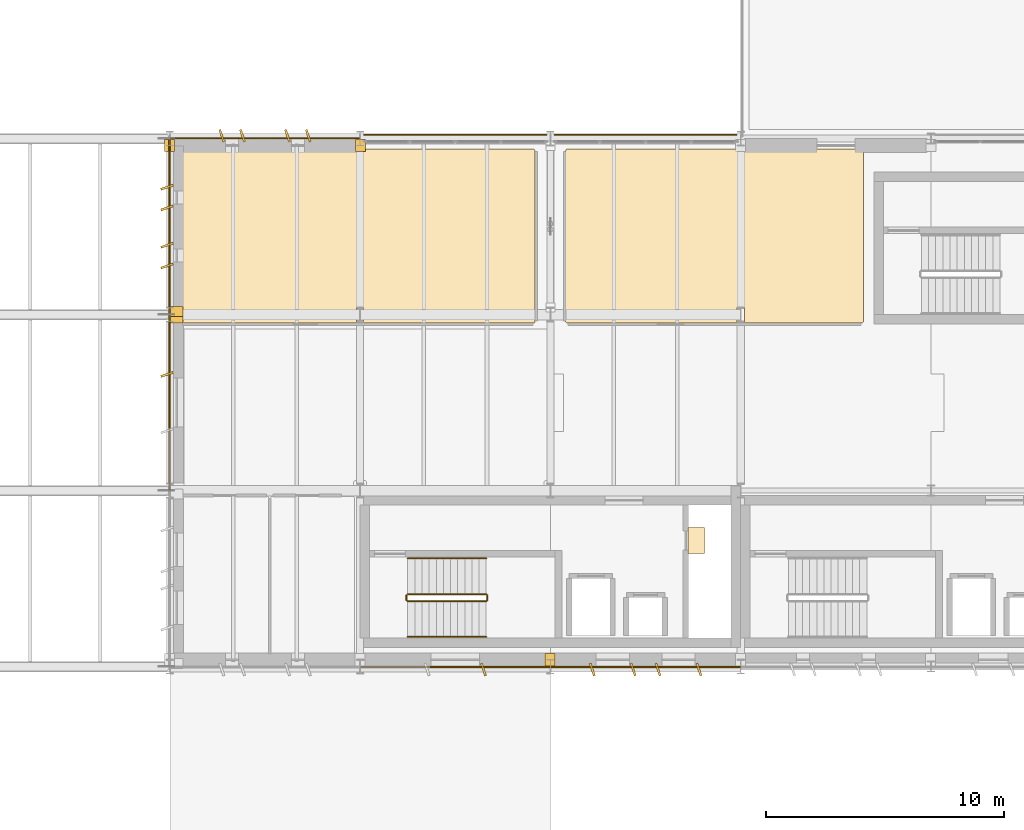
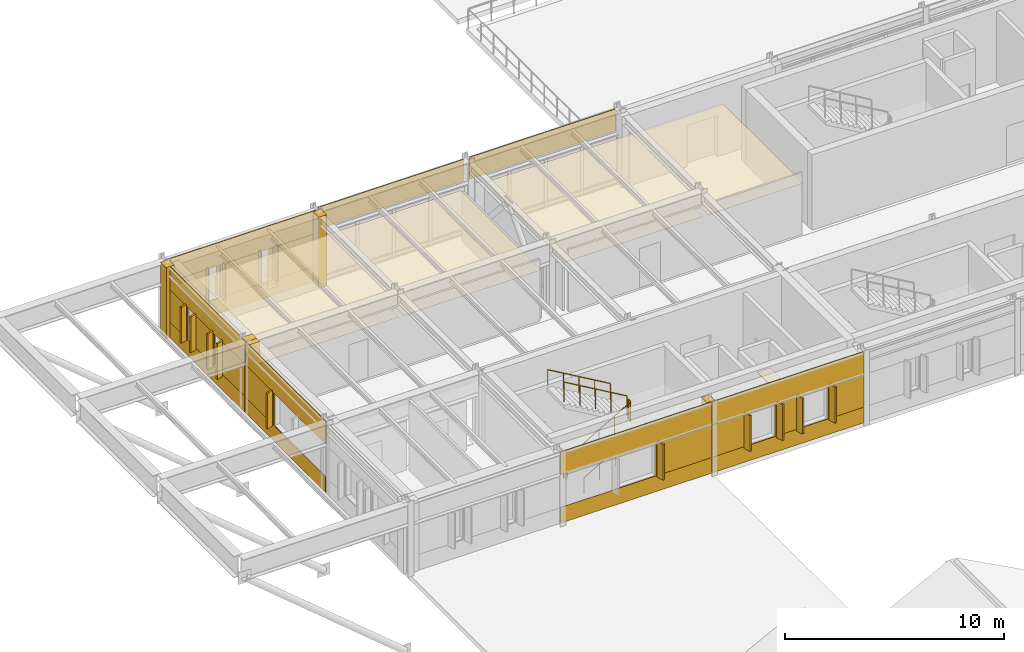
# One storey, part 50 of 63: 45 coverings, 6 railings.
"""IFC4 building model written with IfcOpenShell, lengths in metres."""

from ifc_helpers import new_model, si_unit, direction, frame, frame_2d, origin, origin_2d, place, context, subcontext, project, spatial, polyline, rectangle, circle, outline, extrude, material, layer, layer_set, type_object, element, save


model = new_model("IFC4")

# Units and contexts
model_context = context("Model", 3, precision=1e-05, world=origin(), true_north=direction((0.0, 1.0)))
body_context = subcontext(model_context, "Body", "Model", "MODEL_VIEW")
ifc_project = project(units=[si_unit("LENGTHUNIT", "METRE"), si_unit("AREAUNIT", "SQUARE_METRE"), si_unit("VOLUMEUNIT", "CUBIC_METRE"), si_unit("PLANEANGLEUNIT", "RADIAN"), si_unit("MASSUNIT", "GRAM", prefix="KILO")], contexts=[model_context])

# Site, building, storey
site_placement = place(None, origin())
site = spatial("IfcSite", under=ifc_project, at=site_placement, CompositionType="ELEMENT")
building_placement = place(site_placement, origin())
building = spatial("IfcBuilding", under=site, at=building_placement, Name="Valkorina Park Police Headquarters", CompositionType="ELEMENT")
storey_placement = place(building_placement, frame((0.0, 0.0, 9.89990234375)))
storey = spatial("IfcBuildingStorey", under=building, at=storey_placement, Name="L03", CompositionType="ELEMENT", Elevation=9.89990234375)

# Coverings
ifc_material_1 = material(Name="Acoustic mineral board")
ifc_layer_1 = layer(ifc_material_1, 0.02490234375)
ifc_layer_set_1 = layer_set([ifc_layer_1], Name="Acoustic mineral board")
covering_type_1 = type_object("IfcCoveringType", Name="COV-CEILING-ACOUST", PredefinedType="CEILING", material=ifc_layer_set_1)
covering_1_placement = place(storey_placement, frame((0.0, 0.0, 2.72998046875)))
element("IfcCovering", 1, at=covering_1_placement, inside=storey, type_object=covering_type_1, Name="District Patrol Investigation Suite West Acoustic Suspended Ceiling", PredefinedType="CEILING", context=body_context, shape_type="SweptSolid", body=[
    extrude(outline(polyline([(24.158447265625, 51.50439453125), (24.15966796875, 51.51220703125), (24.159912109375, 51.52001953125), (24.159912109375, 58.679931640625), (24.15966796875, 58.687744140625), (24.158447265625, 58.695556640625), (24.156494140625, 58.703125), (24.15380859375, 58.710693359375), (24.150634765625, 58.7177734375), (24.146484375, 58.724365234375), (24.141845703125, 58.730712890625), (24.13671875, 58.736572265625), (24.130859375, 58.74169921875), (24.12451171875, 58.74658203125), (24.11767578125, 58.75048828125), (24.110595703125, 58.75390625), (24.103271484375, 58.756591796875), (24.095703125, 58.758544921875), (24.087890625, 58.759521484375), (24.080078125, 58.760009765625), (9.320068359375, 58.760009765625), (9.312255859375, 58.759521484375), (9.304443359375, 58.758544921875), (9.296875, 58.756591796875), (9.289306640625, 58.75390625), (9.2822265625, 58.75048828125), (9.275634765625, 58.74658203125), (9.269287109375, 58.74169921875), (9.263427734375, 58.736572265625), (9.25830078125, 58.730712890625), (9.25341796875, 58.724365234375), (9.24951171875, 58.7177734375), (9.24609375, 58.710693359375), (9.243408203125, 58.703125), (9.241455078125, 58.695556640625), (9.240478515625, 58.687744140625), (9.239990234375, 58.679931640625), (9.239990234375, 51.52001953125), (9.240478515625, 51.51220703125), (9.241455078125, 51.50439453125), (9.243408203125, 51.496826171875), (9.24609375, 51.489501953125), (9.24951171875, 51.482421875), (9.25341796875, 51.4755859375), (9.25830078125, 51.46923828125), (9.263427734375, 51.46337890625), (9.269287109375, 51.458251953125), (9.275634765625, 51.45361328125), (9.2822265625, 51.449462890625), (9.289306640625, 51.446044921875), (9.296875, 51.443359375), (9.304443359375, 51.44140625), (9.312255859375, 51.4404296875), (9.320068359375, 51.43994140625), (16.610107421875, 51.43994140625), (16.617919921875, 51.4404296875), (16.62548828125, 51.44140625), (16.63330078125, 51.443359375), (16.640625, 51.446044921875), (16.647705078125, 51.449462890625), (16.654296875, 51.45361328125), (16.660888671875, 51.458251953125), (16.66650390625, 51.46337890625), (16.671875, 51.46923828125), (16.676513671875, 51.4755859375), (16.6806640625, 51.482421875), (16.683837890625, 51.489501953125), (16.6865234375, 51.496826171875), (16.6875, 51.5), (16.64990234375, 51.5), (16.64990234375, 52.10009765625), (16.949951171875, 52.10009765625), (16.949951171875, 51.5), (16.91259765625, 51.5), (16.913330078125, 51.496826171875), (16.916015625, 51.489501953125), (16.91943359375, 51.482421875), (16.923583984375, 51.4755859375), (16.92822265625, 51.46923828125), (16.933349609375, 51.46337890625), (16.939208984375, 51.458251953125), (16.945556640625, 51.45361328125), (16.952392578125, 51.449462890625), (16.95947265625, 51.446044921875), (16.966796875, 51.443359375), (16.974365234375, 51.44140625), (16.982177734375, 51.4404296875), (16.989990234375, 51.43994140625), (24.080078125, 51.43994140625), (24.087890625, 51.4404296875), (24.095703125, 51.44140625), (24.103271484375, 51.443359375), (24.110595703125, 51.446044921875), (24.11767578125, 51.449462890625), (24.12451171875, 51.45361328125), (24.130859375, 51.458251953125), (24.13671875, 51.46337890625), (24.141845703125, 51.46923828125), (24.146484375, 51.4755859375), (24.150634765625, 51.482421875), (24.15380859375, 51.489501953125), (24.156494140625, 51.496826171875), (24.158447265625, 51.50439453125)])), origin(), (0.0, 0.0, 1.0), 0.025146484375),
])
covering_2_placement = place(storey_placement, frame((0.0, 0.0, 2.72998046875)))
element("IfcCovering", 2, at=covering_2_placement, inside=storey, type_object=covering_type_1, Name="Juvenile and Family Protection Unit Acoustic Suspended Ceiling", PredefinedType="CEILING", context=body_context, shape_type="SweptSolid", body=[
    extrude(outline(polyline([(37.95849609375, 51.50439453125), (37.959716796875, 51.51220703125), (37.9599609375, 51.52001953125), (37.9599609375, 58.679931640625), (37.959716796875, 58.687744140625), (37.95849609375, 58.695556640625), (37.95654296875, 58.703125), (37.953857421875, 58.710693359375), (37.95068359375, 58.7177734375), (37.946533203125, 58.724365234375), (37.94189453125, 58.730712890625), (37.9365234375, 58.736572265625), (37.930908203125, 58.74169921875), (37.92431640625, 58.74658203125), (37.917724609375, 58.75048828125), (37.91064453125, 58.75390625), (37.9033203125, 58.756591796875), (37.8955078125, 58.758544921875), (37.8876953125, 58.759521484375), (37.8798828125, 58.760009765625), (25.52001953125, 58.760009765625), (25.51220703125, 58.759521484375), (25.50439453125, 58.758544921875), (25.496826171875, 58.756591796875), (25.489501953125, 58.75390625), (25.482421875, 58.75048828125), (25.4755859375, 58.74658203125), (25.46923828125, 58.74169921875), (25.46337890625, 58.736572265625), (25.458251953125, 58.730712890625), (25.45361328125, 58.724365234375), (25.449462890625, 58.7177734375), (25.446044921875, 58.710693359375), (25.443359375, 58.703125), (25.44140625, 58.695556640625), (25.4404296875, 58.687744140625), (25.43994140625, 58.679931640625), (25.43994140625, 51.52001953125), (25.4404296875, 51.51220703125), (25.44140625, 51.50439453125), (25.443359375, 51.496826171875), (25.446044921875, 51.489501953125), (25.449462890625, 51.482421875), (25.45361328125, 51.4755859375), (25.458251953125, 51.46923828125), (25.46337890625, 51.46337890625), (25.46923828125, 51.458251953125), (25.4755859375, 51.45361328125), (25.482421875, 51.449462890625), (25.489501953125, 51.446044921875), (25.496826171875, 51.443359375), (25.50439453125, 51.44140625), (25.51220703125, 51.4404296875), (25.52001953125, 51.43994140625), (32.610107421875, 51.43994140625), (32.617919921875, 51.4404296875), (32.62548828125, 51.44140625), (32.63330078125, 51.443359375), (32.640625, 51.446044921875), (32.647705078125, 51.449462890625), (32.654296875, 51.45361328125), (32.660888671875, 51.458251953125), (32.66650390625, 51.46337890625), (32.671875, 51.46923828125), (32.676513671875, 51.4755859375), (32.6806640625, 51.482421875), (32.683837890625, 51.489501953125), (32.6865234375, 51.496826171875), (32.6875, 51.5), (32.64990234375, 51.5), (32.64990234375, 52.10009765625), (32.949951171875, 52.10009765625), (32.949951171875, 51.5), (32.91259765625, 51.5), (32.913330078125, 51.496826171875), (32.916015625, 51.489501953125), (32.91943359375, 51.482421875), (32.923583984375, 51.4755859375), (32.92822265625, 51.46923828125), (32.933349609375, 51.46337890625), (32.939208984375, 51.458251953125), (32.945556640625, 51.45361328125), (32.952392578125, 51.449462890625), (32.95947265625, 51.446044921875), (32.966796875, 51.443359375), (32.974365234375, 51.44140625), (32.982177734375, 51.4404296875), (32.989990234375, 51.43994140625), (37.8798828125, 51.43994140625), (37.8876953125, 51.4404296875), (37.8955078125, 51.44140625), (37.9033203125, 51.443359375), (37.91064453125, 51.446044921875), (37.917724609375, 51.449462890625), (37.92431640625, 51.45361328125), (37.930908203125, 51.458251953125), (37.9365234375, 51.46337890625), (37.94189453125, 51.46923828125), (37.946533203125, 51.4755859375), (37.95068359375, 51.482421875), (37.953857421875, 51.489501953125), (37.95654296875, 51.496826171875), (37.95849609375, 51.50439453125)])), origin(), (0.0, 0.0, 1.0), 0.025146484375),
])
ifc_material_2 = material(Name="Precast concrete C40/50", Category="concrete")
ifc_layer_2 = layer(ifc_material_2, 0.044921875)
ifc_layer_set_2 = layer_set([ifc_layer_2], Name="Precast concrete C40/50")
covering_type_2 = type_object("IfcCoveringType", Name="COV-CLAD-DOLOMITE", PredefinedType="CLADDING", material=ifc_layer_set_2)
for number, where, z_axis, x_axis, name in (
    (3, (8.7900390625, 58.909912109375, 0.0), (0.0, 0.0, 1.0), (1.0, 0.0, 0.0), "L03 Exterior Joint Closure Pilaster A 1730"),
    (4, (16.81005859375, 58.909912109375, 0.0), (0.0, 0.0, 1.0), (1.0, 0.0, 0.0), "L03 Exterior Joint Closure Pilaster B 1731"),
):
    element("IfcCovering", number, at=place(storey_placement, frame(where, z_axis=z_axis, x_axis=x_axis)), inside=storey, type_object=covering_type_2, Name=name, PredefinedType="CLADDING", context=body_context, shape_type="SweptSolid", body=[
        extrude(rectangle(XDim=0.419921875, YDim=0.52197265625, at=origin_2d()), origin(), (0.0, 0.0, 1.0), 3.955078125),
    ])
for number, where, z_axis, x_axis, name in (
    (5, (10.982666015625, 59.320068359375, 0.7802734375), (0.0, 0.0, 1.0), (-0.317304656405, 0.948323655206, 0.0), "Slanted 18.5-deg Precast Window Slot Fin 1732"),
    (6, (11.8525390625, 59.320068359375, 0.7802734375), (0.0, 0.0, 1.0), (-0.317304656405, 0.948323655206, 0.0), "Slanted 18.5-deg Precast Window Slot Fin 1733"),
    (7, (13.747314453125, 59.320068359375, 0.7802734375), (0.0, 0.0, 1.0), (-0.317304656405, 0.948323655206, 0.0), "Slanted 18.5-deg Precast Window Slot Fin 1734"),
    (8, (14.617431640625, 59.320068359375, 0.7802734375), (0.0, 0.0, 1.0), (-0.317304656405, 0.948323655206, 0.0), "Slanted 18.5-deg Precast Window Slot Fin 1735"),
):
    element("IfcCovering", number, at=place(storey_placement, frame(where, z_axis=z_axis, x_axis=x_axis)), inside=storey, type_object=covering_type_2, Name=name, PredefinedType="CLADDING", context=body_context, shape_type="SweptSolid", body=[
        extrude(rectangle(XDim=0.5400390625, YDim=0.090087890625, at=origin_2d()), origin(), (0.0, 0.0, 1.0), 1.989990234375),
    ])
covering_3_placement = place(storey_placement, frame((8.820068359375, 59.215087890625, 0.0), z_axis=(0.0, 0.0, 1.0), x_axis=(1.0, 0.0, 0.0)))
element("IfcCovering", 9, at=covering_3_placement, inside=storey, type_object=covering_type_2, Name="L03 Calm Concrete Base Sill Spandrel 1736", PredefinedType="CLADDING", context=body_context, shape_type="SweptSolid", body=[
    extrude(rectangle(XDim=7.9599609375, YDim=0.044921875, at=frame_2d((3.97998046875, 0.0))), origin(), (0.0, 0.0, 1.0), 0.8701171875),
])
covering_4_placement = place(storey_placement, frame((8.820068359375, 59.215087890625, 2.68017578125), z_axis=(0.0, 0.0, 1.0), x_axis=(1.0, 0.0, 0.0)))
element("IfcCovering", 10, at=covering_4_placement, inside=storey, type_object=covering_type_2, Name="L03 Calm Concrete Base Lintel Spandrel 1737", PredefinedType="CLADDING", context=body_context, shape_type="SweptSolid", body=[
    extrude(rectangle(XDim=7.9599609375, YDim=0.044921875, at=frame_2d((3.97998046875, 0.0))), origin(), (0.0, 0.0, 1.0), 1.27490234375),
])
covering_5_placement = place(storey_placement, frame((8.820068359375, 59.215087890625, 0.8701171875), z_axis=(0.0, 0.0, 1.0), x_axis=(1.0, 0.0, 0.0)))
element("IfcCovering", 11, at=covering_5_placement, inside=storey, type_object=covering_type_2, Name="L03 Calm Concrete Base Slot Pier 1738", PredefinedType="CLADDING", context=body_context, shape_type="SweptSolid", body=[
    extrude(rectangle(XDim=2.2724609375, YDim=0.044921875, at=frame_2d((1.13623046875, 0.0))), origin(), (0.0, 0.0, 1.0), 1.81005859375),
])
covering_6_placement = place(storey_placement, frame((11.74267578125, 59.215087890625, 0.8701171875), z_axis=(0.0, 0.0, 1.0), x_axis=(1.0, 0.0, 0.0)))
element("IfcCovering", 12, at=covering_6_placement, inside=storey, type_object=covering_type_2, Name="L03 Calm Concrete Base Slot Pier 1739", PredefinedType="CLADDING", context=body_context, shape_type="SweptSolid", body=[
    extrude(rectangle(XDim=2.11474609375, YDim=0.044921875, at=frame_2d((1.057373046875, 0.0))), origin(), (0.0, 0.0, 1.0), 1.81005859375),
])
covering_7_placement = place(storey_placement, frame((14.50732421875, 59.215087890625, 0.8701171875), z_axis=(0.0, 0.0, 1.0), x_axis=(1.0, 0.0, 0.0)))
element("IfcCovering", 13, at=covering_7_placement, inside=storey, type_object=covering_type_2, Name="L03 Calm Concrete Base Slot Pier 1740", PredefinedType="CLADDING", context=body_context, shape_type="SweptSolid", body=[
    extrude(rectangle(XDim=2.272705078125, YDim=0.044921875, at=frame_2d((1.13623046875, 0.0))), origin(), (0.0, 0.0, 1.0), 1.81005859375),
])
for number, where, z_axis, x_axis, name in (
    (14, (16.9599609375, 59.360107421875, 2.7451171875), (0.0, 0.0, 1.0), (1.0, 0.0, 0.0), "L03 Spandrel Beam Insulated Fascia 1741"),
    (15, (24.9599609375, 59.360107421875, 2.7451171875), (0.0, 0.0, 1.0), (1.0, 0.0, 0.0), "L03 Spandrel Beam Insulated Fascia 1742"),
):
    element("IfcCovering", number, at=place(storey_placement, frame(where, z_axis=z_axis, x_axis=x_axis)), inside=storey, type_object=covering_type_2, Name=name, PredefinedType="CLADDING", context=body_context, shape_type="SweptSolid", body=[
        extrude(rectangle(XDim=7.679931640625, YDim=0.044921875, at=frame_2d((3.83984375, 0.0))), origin(), (0.0, 0.0, 1.0), 1.2099609375),
    ])
covering_8_placement = place(storey_placement, frame((24.7900390625, 37.2900390625, 0.0), z_axis=(0.0, 0.0, 1.0), x_axis=(1.0, 0.0, 0.0)))
element("IfcCovering", 16, at=covering_8_placement, inside=storey, type_object=covering_type_2, Name="L03 Exterior Joint Closure Pilaster B 2162", PredefinedType="CLADDING", context=body_context, shape_type="SweptSolid", body=[
    extrude(rectangle(XDim=0.419921875, YDim=0.52197265625, at=origin_2d()), origin(), (0.0, 0.0, 1.0), 3.955078125),
])
for number, where, z_axis, x_axis, name in (
    (17, (31.04248046875, 36.8798828125, 0.7802734375), (0.0, 0.0, 1.0), (0.317304656405, -0.948323655206, 0.0), "Slanted 18.5-deg Precast Window Slot Fin 2163"),
    (18, (29.322509765625, 36.8798828125, 0.7802734375), (0.0, 0.0, 1.0), (0.317304656405, -0.948323655206, 0.0), "Slanted 18.5-deg Precast Window Slot Fin 2164"),
    (19, (28.277587890625, 36.8798828125, 0.7802734375), (0.0, 0.0, 1.0), (0.317304656405, -0.948323655206, 0.0), "Slanted 18.5-deg Precast Window Slot Fin 2165"),
    (20, (26.5576171875, 36.8798828125, 0.7802734375), (0.0, 0.0, 1.0), (0.317304656405, -0.948323655206, 0.0), "Slanted 18.5-deg Precast Window Slot Fin 2166"),
):
    element("IfcCovering", number, at=place(storey_placement, frame(where, z_axis=z_axis, x_axis=x_axis)), inside=storey, type_object=covering_type_2, Name=name, PredefinedType="CLADDING", context=body_context, shape_type="SweptSolid", body=[
        extrude(rectangle(XDim=0.5400390625, YDim=0.090087890625, at=origin_2d()), origin(), (0.0, 0.0, 1.0), 1.989990234375),
    ])
covering_9_placement = place(storey_placement, frame((32.780029296875, 36.985107421875, 0.0), z_axis=(0.0, 0.0, 1.0), x_axis=(-1.0, 0.0, 0.0)))
element("IfcCovering", 21, at=covering_9_placement, inside=storey, type_object=covering_type_2, Name="L03 Calm Concrete Base Sill Spandrel 2167", PredefinedType="CLADDING", context=body_context, shape_type="SweptSolid", body=[
    extrude(rectangle(XDim=7.9599609375, YDim=0.044921875, at=frame_2d((3.97998046875, 0.0))), origin(), (0.0, 0.0, 1.0), 0.8701171875),
])
covering_10_placement = place(storey_placement, frame((32.780029296875, 36.985107421875, 2.68017578125), z_axis=(0.0, 0.0, 1.0), x_axis=(-1.0, 0.0, 0.0)))
element("IfcCovering", 22, at=covering_10_placement, inside=storey, type_object=covering_type_2, Name="L03 Calm Concrete Base Lintel Spandrel 2168", PredefinedType="CLADDING", context=body_context, shape_type="SweptSolid", body=[
    extrude(rectangle(XDim=7.9599609375, YDim=0.044921875, at=frame_2d((3.97998046875, 0.0))), origin(), (0.0, 0.0, 1.0), 1.27490234375),
])
covering_11_placement = place(storey_placement, frame((32.780029296875, 36.985107421875, 0.8701171875), z_axis=(0.0, 0.0, 1.0), x_axis=(-1.0, 0.0, 0.0)))
element("IfcCovering", 23, at=covering_11_placement, inside=storey, type_object=covering_type_2, Name="L03 Calm Concrete Base Slot Pier 2169", PredefinedType="CLADDING", context=body_context, shape_type="SweptSolid", body=[
    extrude(rectangle(XDim=1.84765625, YDim=0.044921875, at=frame_2d((0.923828125, 0.0))), origin(), (0.0, 0.0, 1.0), 1.81005859375),
])
covering_12_placement = place(storey_placement, frame((29.432373046875, 36.985107421875, 0.8701171875), z_axis=(0.0, 0.0, 1.0), x_axis=(-1.0, 0.0, 0.0)))
element("IfcCovering", 24, at=covering_12_placement, inside=storey, type_object=covering_type_2, Name="L03 Calm Concrete Base Slot Pier 2170", PredefinedType="CLADDING", context=body_context, shape_type="SweptSolid", body=[
    extrude(rectangle(XDim=1.264892578125, YDim=0.044921875, at=frame_2d((0.63232421875, 0.0))), origin(), (0.0, 0.0, 1.0), 1.81005859375),
])
covering_13_placement = place(storey_placement, frame((26.66748046875, 36.985107421875, 0.8701171875), z_axis=(0.0, 0.0, 1.0), x_axis=(-1.0, 0.0, 0.0)))
element("IfcCovering", 25, at=covering_13_placement, inside=storey, type_object=covering_type_2, Name="L03 Calm Concrete Base Slot Pier 2171", PredefinedType="CLADDING", context=body_context, shape_type="SweptSolid", body=[
    extrude(rectangle(XDim=1.847412109375, YDim=0.044921875, at=frame_2d((0.923828125, 0.0))), origin(), (0.0, 0.0, 1.0), 1.81005859375),
])
covering_14_placement = place(storey_placement, frame((21.985107421875, 36.8798828125, 0.7802734375), z_axis=(0.0, 0.0, 1.0), x_axis=(0.317304656405, -0.948323655206, 0.0)))
element("IfcCovering", 26, at=covering_14_placement, inside=storey, type_object=covering_type_2, Name="Slanted 18.5-deg Precast Window Slot Fin 2173", PredefinedType="CLADDING", context=body_context, shape_type="SweptSolid", body=[
    extrude(rectangle(XDim=0.5400390625, YDim=0.090087890625, at=origin_2d()), origin(), (0.0, 0.0, 1.0), 1.989990234375),
])
covering_15_placement = place(storey_placement, frame((24.780029296875, 36.985107421875, 0.0), z_axis=(0.0, 0.0, 1.0), x_axis=(-1.0, 0.0, 0.0)))
element("IfcCovering", 27, at=covering_15_placement, inside=storey, type_object=covering_type_2, Name="L03 Calm Concrete Base Sill Spandrel 2175", PredefinedType="CLADDING", context=body_context, shape_type="SweptSolid", body=[
    extrude(rectangle(XDim=7.9599609375, YDim=0.044921875, at=frame_2d((3.97998046875, 0.0))), origin(), (0.0, 0.0, 1.0), 0.8701171875),
])
covering_16_placement = place(storey_placement, frame((24.780029296875, 36.985107421875, 2.68017578125), z_axis=(0.0, 0.0, 1.0), x_axis=(-1.0, 0.0, 0.0)))
element("IfcCovering", 28, at=covering_16_placement, inside=storey, type_object=covering_type_2, Name="L03 Calm Concrete Base Lintel Spandrel 2176", PredefinedType="CLADDING", context=body_context, shape_type="SweptSolid", body=[
    extrude(rectangle(XDim=7.9599609375, YDim=0.044921875, at=frame_2d((3.97998046875, 0.0))), origin(), (0.0, 0.0, 1.0), 1.27490234375),
])
covering_17_placement = place(storey_placement, frame((24.780029296875, 36.985107421875, 0.8701171875), z_axis=(0.0, 0.0, 1.0), x_axis=(-1.0, 0.0, 0.0)))
element("IfcCovering", 29, at=covering_17_placement, inside=storey, type_object=covering_type_2, Name="L03 Calm Concrete Base Slot Pier 2177", PredefinedType="CLADDING", context=body_context, shape_type="SweptSolid", body=[
    extrude(rectangle(XDim=2.905029296875, YDim=0.044921875, at=frame_2d((1.45263671875, 0.0))), origin(), (0.0, 0.0, 1.0), 1.81005859375),
])
covering_18_placement = place(storey_placement, frame((9.090087890625, 51.659912109375, 0.0), z_axis=(0.0, 0.0, 1.0), x_axis=(0.0, 1.0, 0.0)))
element("IfcCovering", 30, at=covering_18_placement, inside=storey, type_object=covering_type_2, Name="L03 Exterior Joint Closure Pilaster B 2200", PredefinedType="CLADDING", context=body_context, shape_type="SweptSolid", body=[
    extrude(rectangle(XDim=0.419921875, YDim=0.52197265625, at=origin_2d()), origin(), (0.0, 0.0, 1.0), 3.955078125),
])
covering_19_placement = place(storey_placement, frame((8.679931640625, 49.284912109375, 0.7802734375), z_axis=(0.0, 0.0, 1.0), x_axis=(-0.948323655206, -0.317304656405, 0.0)))
element("IfcCovering", 31, at=covering_19_placement, inside=storey, type_object=covering_type_2, Name="Slanted 18.5-deg Precast Window Slot Fin 2202", PredefinedType="CLADDING", context=body_context, shape_type="SweptSolid", body=[
    extrude(rectangle(XDim=0.5400390625, YDim=0.090087890625, at=origin_2d()), origin(), (0.0, 0.0, 1.0), 1.989990234375),
])
covering_20_placement = place(storey_placement, frame((8.784912109375, 44.419921875, 0.0), z_axis=(0.0, 0.0, 1.0), x_axis=(0.0, 1.0, 0.0)))
element("IfcCovering", 32, at=covering_20_placement, inside=storey, type_object=covering_type_2, Name="L03 Calm Concrete Base Sill Spandrel 2203", PredefinedType="CLADDING", context=body_context, shape_type="SweptSolid", body=[
    extrude(rectangle(XDim=7.360107421875, YDim=0.044921875, at=frame_2d((3.68017578125, 0.0))), origin(), (0.0, 0.0, 1.0), 0.8701171875),
])
covering_21_placement = place(storey_placement, frame((8.784912109375, 44.419921875, 2.68017578125), z_axis=(0.0, 0.0, 1.0), x_axis=(0.0, 1.0, 0.0)))
element("IfcCovering", 33, at=covering_21_placement, inside=storey, type_object=covering_type_2, Name="L03 Calm Concrete Base Lintel Spandrel 2204", PredefinedType="CLADDING", context=body_context, shape_type="SweptSolid", body=[
    extrude(rectangle(XDim=7.360107421875, YDim=0.044921875, at=frame_2d((3.68017578125, 0.0))), origin(), (0.0, 0.0, 1.0), 1.27490234375),
])
covering_22_placement = place(storey_placement, frame((8.784912109375, 49.175048828125, 0.8701171875), z_axis=(0.0, 0.0, 1.0), x_axis=(0.0, 1.0, 0.0)))
element("IfcCovering", 34, at=covering_22_placement, inside=storey, type_object=covering_type_2, Name="L03 Calm Concrete Base Slot Pier 2206", PredefinedType="CLADDING", context=body_context, shape_type="SweptSolid", body=[
    extrude(rectangle(XDim=2.60498046875, YDim=0.044921875, at=frame_2d((1.302490234375, 0.0))), origin(), (0.0, 0.0, 1.0), 1.81005859375),
])
covering_23_placement = place(storey_placement, frame((9.090087890625, 51.93994140625, 0.0), z_axis=(0.0, 0.0, 1.0), x_axis=(0.0, 1.0, 0.0)))
element("IfcCovering", 35, at=covering_23_placement, inside=storey, type_object=covering_type_2, Name="L03 Exterior Joint Closure Pilaster A 2207", PredefinedType="CLADDING", context=body_context, shape_type="SweptSolid", body=[
    extrude(rectangle(XDim=0.419921875, YDim=0.52197265625, at=origin_2d()), origin(), (0.0, 0.0, 1.0), 3.955078125),
])
for number, where, z_axis, x_axis, name in (
    (36, (8.679931640625, 53.844482421875, 0.7802734375), (0.0, 0.0, 1.0), (-0.948323655206, -0.317304656405, 0.0), "Slanted 18.5-deg Precast Window Slot Fin 2208"),
    (37, (8.679931640625, 54.714599609375, 0.7802734375), (0.0, 0.0, 1.0), (-0.948323655206, -0.317304656405, 0.0), "Slanted 18.5-deg Precast Window Slot Fin 2209"),
    (38, (8.679931640625, 56.285400390625, 0.7802734375), (0.0, 0.0, 1.0), (-0.948323655206, -0.317304656405, 0.0), "Slanted 18.5-deg Precast Window Slot Fin 2210"),
    (39, (8.679931640625, 57.155517578125, 0.7802734375), (0.0, 0.0, 1.0), (-0.948323655206, -0.317304656405, 0.0), "Slanted 18.5-deg Precast Window Slot Fin 2211"),
):
    element("IfcCovering", number, at=place(storey_placement, frame(where, z_axis=z_axis, x_axis=x_axis)), inside=storey, type_object=covering_type_2, Name=name, PredefinedType="CLADDING", context=body_context, shape_type="SweptSolid", body=[
        extrude(rectangle(XDim=0.5400390625, YDim=0.090087890625, at=origin_2d()), origin(), (0.0, 0.0, 1.0), 1.989990234375),
    ])
covering_24_placement = place(storey_placement, frame((8.784912109375, 51.820068359375, 0.0), z_axis=(0.0, 0.0, 1.0), x_axis=(0.0, 1.0, 0.0)))
element("IfcCovering", 40, at=covering_24_placement, inside=storey, type_object=covering_type_2, Name="L03 Calm Concrete Base Sill Spandrel 2212", PredefinedType="CLADDING", context=body_context, shape_type="SweptSolid", body=[
    extrude(rectangle(XDim=7.35986328125, YDim=0.044921875, at=frame_2d((3.679931640625, 0.0))), origin(), (0.0, 0.0, 1.0), 0.8701171875),
])
covering_25_placement = place(storey_placement, frame((8.784912109375, 51.820068359375, 2.68017578125), z_axis=(0.0, 0.0, 1.0), x_axis=(0.0, 1.0, 0.0)))
element("IfcCovering", 41, at=covering_25_placement, inside=storey, type_object=covering_type_2, Name="L03 Calm Concrete Base Lintel Spandrel 2213", PredefinedType="CLADDING", context=body_context, shape_type="SweptSolid", body=[
    extrude(rectangle(XDim=7.35986328125, YDim=0.044921875, at=frame_2d((3.679931640625, 0.0))), origin(), (0.0, 0.0, 1.0), 1.27490234375),
])
covering_26_placement = place(storey_placement, frame((8.784912109375, 51.820068359375, 0.8701171875), z_axis=(0.0, 0.0, 1.0), x_axis=(0.0, 1.0, 0.0)))
element("IfcCovering", 42, at=covering_26_placement, inside=storey, type_object=covering_type_2, Name="L03 Calm Concrete Base Slot Pier 2214", PredefinedType="CLADDING", context=body_context, shape_type="SweptSolid", body=[
    extrude(rectangle(XDim=2.134521484375, YDim=0.044921875, at=frame_2d((1.0673828125, 0.0))), origin(), (0.0, 0.0, 1.0), 1.81005859375),
])
covering_27_placement = place(storey_placement, frame((8.784912109375, 54.6044921875, 0.8701171875), z_axis=(0.0, 0.0, 1.0), x_axis=(0.0, 1.0, 0.0)))
element("IfcCovering", 43, at=covering_27_placement, inside=storey, type_object=covering_type_2, Name="L03 Calm Concrete Base Slot Pier 2215", PredefinedType="CLADDING", context=body_context, shape_type="SweptSolid", body=[
    extrude(rectangle(XDim=1.791015625, YDim=0.044921875, at=frame_2d((0.8955078125, 0.0))), origin(), (0.0, 0.0, 1.0), 1.81005859375),
])
covering_28_placement = place(storey_placement, frame((8.784912109375, 57.04541015625, 0.8701171875), z_axis=(0.0, 0.0, 1.0), x_axis=(0.0, 1.0, 0.0)))
element("IfcCovering", 44, at=covering_28_placement, inside=storey, type_object=covering_type_2, Name="L03 Calm Concrete Base Slot Pier 2216", PredefinedType="CLADDING", context=body_context, shape_type="SweptSolid", body=[
    extrude(rectangle(XDim=2.134521484375, YDim=0.044921875, at=frame_2d((1.0673828125, 0.0))), origin(), (0.0, 0.0, 1.0), 1.81005859375),
])
ifc_material_3 = material(Name="Resin terrazzo flooring")
ifc_layer_3 = layer(ifc_material_3, 0.030029296875)
ifc_layer_set_3 = layer_set([ifc_layer_3], Name="Resin terrazzo flooring")
covering_type_3 = type_object("IfcCoveringType", Name="COV-FLOOR-TERRAZZO", PredefinedType="FLOORING", material=ifc_layer_set_3)
covering_29_placement = place(storey_placement, origin())
element("IfcCovering", 45, at=covering_29_placement, inside=storey, type_object=covering_type_3, Name="Core C1 L03 Riser Inspection Threshold Grate", PredefinedType="FLOORING", context=body_context, shape_type="SweptSolid", body=[
    extrude(outline(polyline([(31.280029296875, 41.75), (31.280029296875, 42.85009765625), (30.580078125, 42.85009765625), (30.580078125, 41.75), (31.280029296875, 41.75)])), origin(), (0.0, 0.0, 1.0), 0.030029296875),
])

# Railings
ifc_material_4 = material(Name="Stainless steel EN 1.4404", Category="steel")
railing_type_1 = type_object("IfcRailingType", Name="RL-GUARD-INT-1100", PredefinedType="BALUSTRADE", material=ifc_material_4)
railing_1_placement = place(storey_placement, frame((18.800048828125, 39.75, 0.175048828125)))
element("IfcRailing", 46, at=railing_1_placement, inside=storey, type_object=railing_type_1, Name="L03 Core C1 Stair Guard 1", PredefinedType="BALUSTRADE", context=body_context, shape_type="SweptSolid", body=[
    extrude(circle(Radius=0.02392578125, at=origin_2d()), frame((0.0, 0.0, 1.09619140625), z_axis=(0.863776583165, 0.0, 0.503874998761), x_axis=(0.0, 1.0, 0.0)), (0.0, 0.0, 1.0), 3.820556640625),
    extrude(circle(Radius=0.02099609375, at=origin_2d()), origin(), (0.0, 0.0, 1.0), 1.072021484375),
    extrude(circle(Radius=0.02099609375, at=origin_2d()), frame((0.824951171875, 0.0, 0.481201171875)), (0.0, 0.0, 1.0), 1.072021484375),
    extrude(circle(Radius=0.02099609375, at=origin_2d()), frame((1.64990234375, 0.0, 0.96240234375)), (0.0, 0.0, 1.0), 1.072021484375),
    extrude(circle(Radius=0.02099609375, at=origin_2d()), frame((2.47509765625, 0.0, 1.44384765625)), (0.0, 0.0, 1.0), 1.072021484375),
    extrude(circle(Radius=0.02099609375, at=origin_2d()), frame((3.300048828125, 0.0, 1.925048828125)), (0.0, 0.0, 1.0), 1.072021484375),
])
railing_2_placement = place(storey_placement, frame((22.14990234375, 39.800048828125, 2.10009765625)))
element("IfcRailing", 47, at=railing_2_placement, inside=storey, type_object=railing_type_1, Name="L03 Core C1 Stair Guard 2", PredefinedType="BALUSTRADE", context=body_context, shape_type="SweptSolid", body=[
    extrude(circle(Radius=0.02392578125, at=origin_2d()), frame((0.0, 0.0, 1.09619140625), z_axis=(0.0, 1.0, 0.0), x_axis=(-1.0, 0.0, 0.0)), (0.0, 0.0, 1.0), 0.199951171875),
    extrude(circle(Radius=0.02099609375, at=origin_2d()), origin(), (0.0, 0.0, 1.0), 1.072021484375),
    extrude(circle(Radius=0.02099609375, at=origin_2d()), frame((0.0, 0.199951171875, 0.0)), (0.0, 0.0, 1.0), 1.072021484375),
])
railing_3_placement = place(storey_placement, frame((22.10009765625, 40.050048828125, 2.275146484375)))
element("IfcRailing", 48, at=railing_3_placement, inside=storey, type_object=railing_type_1, Name="L03 Core C1 Stair Guard 3", PredefinedType="BALUSTRADE", context=body_context, shape_type="SweptSolid", body=[
    extrude(circle(Radius=0.02392578125, at=origin_2d()), frame((0.0, 0.0, 1.09619140625), z_axis=(-0.863776583165, 0.0, 0.503874998761), x_axis=(0.0, -1.0, 0.0)), (0.0, 0.0, 1.0), 3.820556640625),
    extrude(circle(Radius=0.02099609375, at=origin_2d()), origin(), (0.0, 0.0, 1.0), 1.072021484375),
    extrude(circle(Radius=0.02099609375, at=origin_2d()), frame((-0.824951171875, 0.0, 0.481201171875)), (0.0, 0.0, 1.0), 1.072021484375),
    extrude(circle(Radius=0.02099609375, at=origin_2d()), frame((-1.64990234375, 0.0, 0.96240234375)), (0.0, 0.0, 1.0), 1.072021484375),
    extrude(circle(Radius=0.02099609375, at=origin_2d()), frame((-2.47509765625, 0.0, 1.44384765625)), (0.0, 0.0, 1.0), 1.072021484375),
    extrude(circle(Radius=0.02099609375, at=origin_2d()), frame((-3.300048828125, 0.0, 1.925048828125)), (0.0, 0.0, 1.0), 1.072021484375),
])
railing_4_placement = place(storey_placement, frame((18.75, 39.800048828125, 0.0)))
element("IfcRailing", 49, at=railing_4_placement, inside=storey, type_object=railing_type_1, Name="L03 Core C1 Stair Guard 4", PredefinedType="BALUSTRADE", context=body_context, shape_type="SweptSolid", body=[
    extrude(circle(Radius=0.02392578125, at=origin_2d()), frame((0.0, 0.0, 1.09619140625), z_axis=(0.0, 1.0, 0.0), x_axis=(-1.0, 0.0, 0.0)), (0.0, 0.0, 1.0), 0.199951171875),
    extrude(circle(Radius=0.02099609375, at=origin_2d()), origin(), (0.0, 0.0, 1.0), 1.072021484375),
    extrude(circle(Radius=0.02099609375, at=origin_2d()), frame((0.0, 0.199951171875, 0.0)), (0.0, 0.0, 1.0), 1.072021484375),
])
railing_type_2 = type_object("IfcRailingType", Name="RL-HANDRAIL-900", PredefinedType="HANDRAIL", material=ifc_material_4)
railing_5_placement = place(storey_placement, frame((18.800048828125, 38.25, 0.175048828125)))
element("IfcRailing", 50, at=railing_5_placement, inside=storey, type_object=railing_type_2, Name="L03 Core C1 Stair Handrail 1", PredefinedType="HANDRAIL", context=body_context, shape_type="SweptSolid", body=[
    extrude(circle(Radius=0.02392578125, at=origin_2d()), frame((0.0, 0.0, 0.8759765625), z_axis=(0.863776583165, 0.0, 0.503874998761), x_axis=(0.0, 1.0, 0.0)), (0.0, 0.0, 1.0), 3.820556640625),
    extrude(circle(Radius=0.02099609375, at=origin_2d()), origin(), (0.0, 0.0, 1.0), 0.851806640625),
    extrude(circle(Radius=0.02099609375, at=origin_2d()), frame((0.824951171875, 0.0, 0.481201171875)), (0.0, 0.0, 1.0), 0.851806640625),
    extrude(circle(Radius=0.02099609375, at=origin_2d()), frame((1.64990234375, 0.0, 0.96240234375)), (0.0, 0.0, 1.0), 0.851806640625),
    extrude(circle(Radius=0.02099609375, at=origin_2d()), frame((2.47509765625, 0.0, 1.44384765625)), (0.0, 0.0, 1.0), 0.851806640625),
    extrude(circle(Radius=0.02099609375, at=origin_2d()), frame((3.300048828125, 0.0, 1.925048828125)), (0.0, 0.0, 1.0), 0.851806640625),
])
railing_6_placement = place(storey_placement, frame((22.10009765625, 41.550048828125, 2.275146484375)))
element("IfcRailing", 51, at=railing_6_placement, inside=storey, type_object=railing_type_2, Name="L03 Core C1 Stair Handrail 2", PredefinedType="HANDRAIL", context=body_context, shape_type="SweptSolid", body=[
    extrude(circle(Radius=0.02392578125, at=origin_2d()), frame((0.0, 0.0, 0.8759765625), z_axis=(-0.863776583165, 0.0, 0.503874998761), x_axis=(0.0, -1.0, 0.0)), (0.0, 0.0, 1.0), 3.820556640625),
    extrude(circle(Radius=0.02099609375, at=origin_2d()), origin(), (0.0, 0.0, 1.0), 0.851806640625),
    extrude(circle(Radius=0.02099609375, at=origin_2d()), frame((-0.824951171875, 0.0, 0.481201171875)), (0.0, 0.0, 1.0), 0.851806640625),
    extrude(circle(Radius=0.02099609375, at=origin_2d()), frame((-1.64990234375, 0.0, 0.96240234375)), (0.0, 0.0, 1.0), 0.851806640625),
    extrude(circle(Radius=0.02099609375, at=origin_2d()), frame((-2.47509765625, 0.0, 1.44384765625)), (0.0, 0.0, 1.0), 0.851806640625),
    extrude(circle(Radius=0.02099609375, at=origin_2d()), frame((-3.300048828125, 0.0, 1.925048828125)), (0.0, 0.0, 1.0), 0.851806640625),
])

save(model, "model.ifc")
